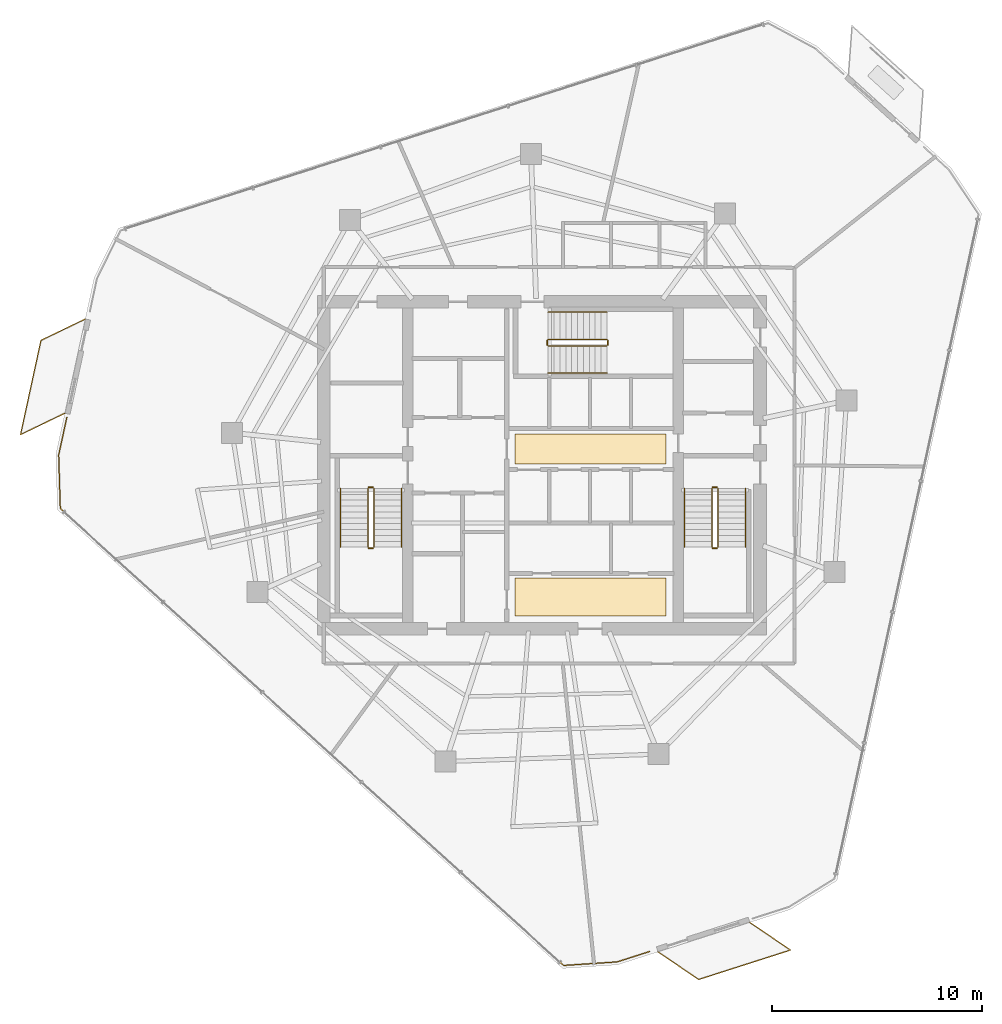
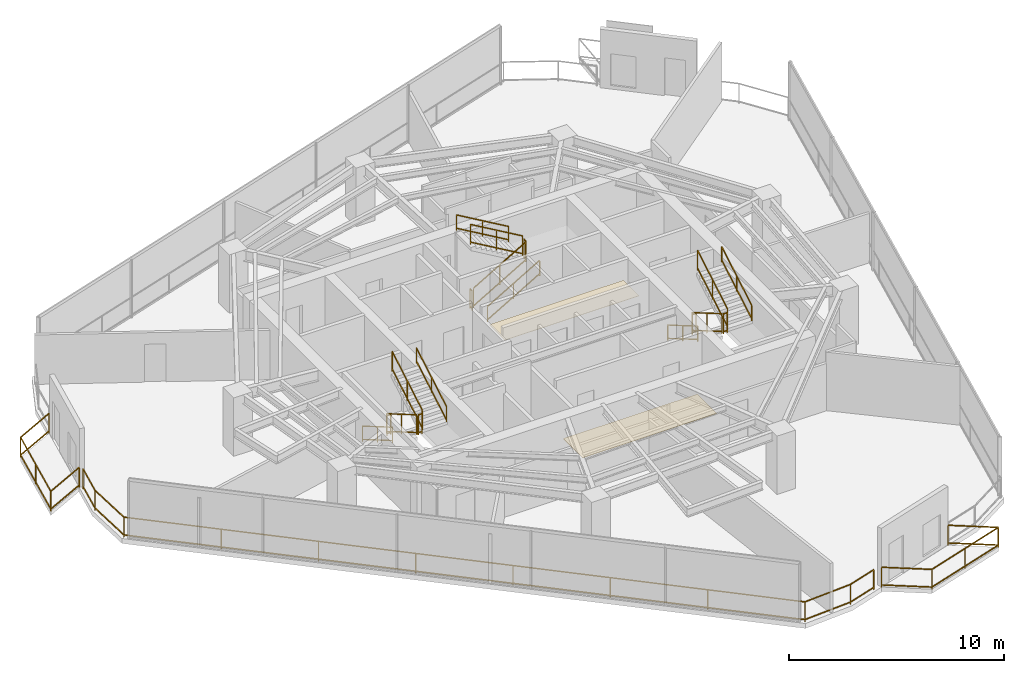
# One storey, part 20 of 21: 21 railings, 2 coverings.
"""IFC4 building model written with IfcOpenShell, lengths in metres."""

from ifc_helpers import new_model, si_unit, direction, frame, origin, origin_2d, place, context, subcontext, project, spatial, rectangle, extrude, material, layer, layer_set, type_object, element, save


model = new_model("IFC4")

# Units and contexts
model_context = context("Model", 3, precision=1e-05, world=origin(), true_north=direction((0.0, 1.0)))
body_context = subcontext(model_context, "Body", "Model", "MODEL_VIEW")
ifc_project = project(units=[si_unit("LENGTHUNIT", "METRE"), si_unit("AREAUNIT", "SQUARE_METRE"), si_unit("VOLUMEUNIT", "CUBIC_METRE"), si_unit("PLANEANGLEUNIT", "RADIAN"), si_unit("MASSUNIT", "GRAM", prefix="KILO")], contexts=[model_context])

# Site, building, storey
site_placement = place(None, origin())
site = spatial("IfcSite", under=ifc_project, at=site_placement, CompositionType="ELEMENT")
building_placement = place(site_placement, origin())
building = spatial("IfcBuilding", under=site, at=building_placement, Name="Qarnah Convention Tower", CompositionType="ELEMENT")
storey_placement = place(building_placement, frame((0.0, 0.0, 132.89990234375)))
storey = spatial("IfcBuildingStorey", under=building, at=storey_placement, Name="L35", CompositionType="ELEMENT", Elevation=132.89990234375)

# Coverings
ifc_material_1 = material(Name="Mineral fibre acoustic ceiling")
ifc_layer_1 = layer(ifc_material_1, 0.02001953125)
ifc_layer_set_1 = layer_set([ifc_layer_1], Name="Mineral fibre acoustic ceiling")
covering_type_1 = type_object("IfcCoveringType", Name="COV-CEIL-20", PredefinedType="CEILING", material=ifc_layer_set_1)
covering_1_placement = place(storey_placement, frame((39.52001953125, 27.179931640625, 2.2900390625), z_axis=(0.0, 0.0, 1.0), x_axis=(1.0, 0.0, 0.0)))
element("IfcCovering", 1, at=covering_1_placement, inside=storey, type_object=covering_type_1, Name="L35 lift lobby acoustic ceiling", PredefinedType="CEILING", context=body_context, shape_type="SweptSolid", body=[
    extrude(rectangle(XDim=7.199951171875, YDim=1.449951171875, at=origin_2d()), origin(), (0.0, 0.0, 1.0), 0.02001953125),
])
ifc_material_2 = material(Name="Porcelain stone floor tile", Category="masonry")
ifc_layer_2 = layer(ifc_material_2, 0.02001953125)
ifc_layer_set_2 = layer_set([ifc_layer_2], Name="Porcelain stone floor tile")
covering_type_2 = type_object("IfcCoveringType", Name="COV-FLOOR-20", PredefinedType="FLOORING", material=ifc_layer_set_2)
covering_2_placement = place(storey_placement, frame((39.52001953125, 20.1201171875, 0.0), z_axis=(0.0, 0.0, 1.0), x_axis=(1.0, 0.0, 0.0)))
element("IfcCovering", 2, at=covering_2_placement, inside=storey, type_object=covering_type_2, Name="L35 lift lobby porcelain stone flooring", PredefinedType="FLOORING", context=body_context, shape_type="SweptSolid", body=[
    extrude(rectangle(XDim=7.199951171875, YDim=1.800048828125, at=origin_2d()), origin(), (0.0, 0.0, 1.0), 0.02001953125),
])

# Railings
ifc_material_3 = material(Name="Black anodised aluminium", Category="aluminium")
railing_type_1 = type_object("IfcRailingType", Name="RL-EXT-GUARD-1150", PredefinedType="GUARDRAIL", material=ifc_material_3)
railing_1_placement = place(storey_placement, frame((42.323974609375, 3.217041015625, 0.0)))
element("IfcRailing", 3, at=railing_1_placement, inside=storey, type_object=railing_type_1, Name="L35 slab-edge perimeter safety guard 03", PredefinedType="GUARDRAIL", context=body_context, shape_type="SweptSolid", body=[
    extrude(rectangle(XDim=0.048095703125, YDim=0.048095703125, at=origin_2d()), frame((0.0, 0.0, 1.1259765625), z_axis=(-0.952460933686, -0.304660745423, 0.0), x_axis=(0.304660745423, -0.952460933686, 0.0)), (0.0, 0.0, 1.0), 1.617919921875),
    extrude(rectangle(XDim=0.048095703125, YDim=0.048095703125, at=origin_2d()), frame((0.0, 0.0, 0.1201171875), z_axis=(-0.952460933686, -0.304660745423, 0.0), x_axis=(0.304660745423, -0.952460933686, 0.0)), (0.0, 0.0, 1.0), 1.617919921875),
    extrude(rectangle(XDim=0.048095703125, YDim=0.048095703125, at=origin_2d()), frame((-1.541015625, -0.492919921875, 1.1259765625), z_axis=(-0.997817688867, -0.066029234309, 0.0), x_axis=(0.066029234309, -0.997817688867, 0.0)), (0.0, 0.0, 1.0), 2.547607421875),
    extrude(rectangle(XDim=0.048095703125, YDim=0.048095703125, at=origin_2d()), frame((-1.541015625, -0.492919921875, 0.1201171875), z_axis=(-0.997817688867, -0.066029234309, 0.0), x_axis=(0.066029234309, -0.997817688867, 0.0)), (0.0, 0.0, 1.0), 2.547607421875),
    extrude(rectangle(XDim=0.048095703125, YDim=0.048095703125, at=origin_2d()), frame((-4.0830078125, -0.6611328125, 1.1259765625), z_axis=(-0.740336929637, 0.672235993246, 0.0), x_axis=(-0.672235993246, -0.740336929637, 0.0)), (0.0, 0.0, 1.0), 32.4189453125),
    extrude(rectangle(XDim=0.048095703125, YDim=0.048095703125, at=origin_2d()), frame((-4.0830078125, -0.6611328125, 0.1201171875), z_axis=(-0.740336929637, 0.672235993246, 0.0), x_axis=(-0.672235993246, -0.740336929637, 0.0)), (0.0, 0.0, 1.0), 32.4189453125),
    extrude(rectangle(XDim=0.048095703125, YDim=0.048095703125, at=origin_2d()), frame((-28.083984375, 21.132080078125, 1.1259765625), z_axis=(-0.030576414063, 0.999532432142, 0.0), x_axis=(-0.999532432142, -0.030576414063, 0.0)), (0.0, 0.0, 1.0), 2.547119140625),
    extrude(rectangle(XDim=0.048095703125, YDim=0.048095703125, at=origin_2d()), frame((-28.083984375, 21.132080078125, 0.1201171875), z_axis=(-0.030576414063, 0.999532432142, 0.0), x_axis=(-0.999532432142, -0.030576414063, 0.0)), (0.0, 0.0, 1.0), 2.547119140625),
    extrude(rectangle(XDim=0.048095703125, YDim=0.048095703125, at=origin_2d()), frame((-28.161865234375, 23.677978515625, 1.1259765625), z_axis=(0.211914696689, 0.977288166984, 0.0), x_axis=(-0.977288166984, 0.211914696689, 0.0)), (0.0, 0.0, 1.0), 1.83056640625),
    extrude(rectangle(XDim=0.048095703125, YDim=0.048095703125, at=origin_2d()), frame((-28.161865234375, 23.677978515625, 0.1201171875), z_axis=(0.211914696689, 0.977288166984, 0.0), x_axis=(-0.977288166984, 0.211914696689, 0.0)), (0.0, 0.0, 1.0), 1.83056640625),
    extrude(rectangle(XDim=0.0419921875, YDim=0.0419921875, at=origin_2d()), origin(), (0.0, 0.0, 1.0), 1.101806640625),
    extrude(rectangle(XDim=0.0419921875, YDim=0.0419921875, at=origin_2d()), frame((-1.541015625, -0.492919921875, 0.0)), (0.0, 0.0, 1.0), 1.101806640625),
    extrude(rectangle(XDim=0.0419921875, YDim=0.0419921875, at=origin_2d()), frame((-4.0830078125, -0.6611328125, 0.0)), (0.0, 0.0, 1.0), 1.101806640625),
    extrude(rectangle(XDim=0.0419921875, YDim=0.0419921875, at=origin_2d()), frame((-7.51171875, 2.4521484375, 0.0)), (0.0, 0.0, 1.0), 1.101806640625),
    extrude(rectangle(XDim=0.0419921875, YDim=0.0419921875, at=origin_2d()), frame((-10.9404296875, 5.5654296875, 0.0)), (0.0, 0.0, 1.0), 1.101806640625),
    extrude(rectangle(XDim=0.0419921875, YDim=0.0419921875, at=origin_2d()), frame((-14.369140625, 8.6787109375, 0.0)), (0.0, 0.0, 1.0), 1.101806640625),
    extrude(rectangle(XDim=0.0419921875, YDim=0.0419921875, at=origin_2d()), frame((-17.7978515625, 11.792236328125, 0.0)), (0.0, 0.0, 1.0), 1.101806640625),
    extrude(rectangle(XDim=0.0419921875, YDim=0.0419921875, at=origin_2d()), frame((-21.2265625, 14.905517578125, 0.0)), (0.0, 0.0, 1.0), 1.101806640625),
    extrude(rectangle(XDim=0.0419921875, YDim=0.0419921875, at=origin_2d()), frame((-24.6552734375, 18.018798828125, 0.0)), (0.0, 0.0, 1.0), 1.101806640625),
    extrude(rectangle(XDim=0.0419921875, YDim=0.0419921875, at=origin_2d()), frame((-28.083984375, 21.132080078125, 0.0)), (0.0, 0.0, 1.0), 1.101806640625),
    extrude(rectangle(XDim=0.0419921875, YDim=0.0419921875, at=origin_2d()), frame((-28.161865234375, 23.677978515625, 0.0)), (0.0, 0.0, 1.0), 1.101806640625),
    extrude(rectangle(XDim=0.0419921875, YDim=0.0419921875, at=origin_2d()), frame((-27.77392578125, 25.467041015625, 0.0)), (0.0, 0.0, 1.0), 1.101806640625),
])
railing_2_placement = place(storey_placement, frame((14.455078125, 28.882080078125, 0.0)))
element("IfcRailing", 4, at=railing_2_placement, inside=storey, type_object=railing_type_1, Name="L35 balcony safety guard BAL-L35-C2", PredefinedType="GUARDRAIL", context=body_context, shape_type="SweptSolid", body=[
    extrude(rectangle(XDim=0.048095703125, YDim=0.048095703125, at=origin_2d()), frame((0.0, 0.0, 1.1259765625), z_axis=(-0.900641486859, -0.434562897805, 0.0), x_axis=(0.434562897805, -0.900641486859, 0.0)), (0.0, 0.0, 1.0), 2.34716796875),
    extrude(rectangle(XDim=0.048095703125, YDim=0.048095703125, at=origin_2d()), frame((0.0, 0.0, 0.1201171875), z_axis=(-0.900641486859, -0.434562897805, 0.0), x_axis=(0.434562897805, -0.900641486859, 0.0)), (0.0, 0.0, 1.0), 2.34716796875),
    extrude(rectangle(XDim=0.048095703125, YDim=0.048095703125, at=origin_2d()), frame((-2.114013671875, -1.02001953125, 1.1259765625), z_axis=(0.211953612133, 0.977279727767, 0.0), x_axis=(-0.977279727767, 0.211953612133, 0.0)), (0.0, 0.0, 1.0), 4.599365234375),
    extrude(rectangle(XDim=0.048095703125, YDim=0.048095703125, at=origin_2d()), frame((-2.114013671875, -1.02001953125, 0.1201171875), z_axis=(0.211953612133, 0.977279727767, 0.0), x_axis=(-0.977279727767, 0.211953612133, 0.0)), (0.0, 0.0, 1.0), 4.599365234375),
    extrude(rectangle(XDim=0.048095703125, YDim=0.048095703125, at=origin_2d()), frame((-1.13916015625, 3.474853515625, 1.1259765625), z_axis=(0.900641486859, 0.434562897805, 0.0), x_axis=(-0.434562897805, 0.900641486859, 0.0)), (0.0, 0.0, 1.0), 2.34716796875),
    extrude(rectangle(XDim=0.048095703125, YDim=0.048095703125, at=origin_2d()), frame((-1.13916015625, 3.474853515625, 0.1201171875), z_axis=(0.900641486859, 0.434562897805, 0.0), x_axis=(-0.434562897805, 0.900641486859, 0.0)), (0.0, 0.0, 1.0), 2.34716796875),
    extrude(rectangle(XDim=0.0419921875, YDim=0.0419921875, at=origin_2d()), origin(), (0.0, 0.0, 1.0), 1.101806640625),
    extrude(rectangle(XDim=0.0419921875, YDim=0.0419921875, at=origin_2d()), frame((-2.114013671875, -1.02001953125, 0.0)), (0.0, 0.0, 1.0), 1.101806640625),
    extrude(rectangle(XDim=0.0419921875, YDim=0.0419921875, at=origin_2d()), frame((-1.62646484375, 1.2275390625, 0.0)), (0.0, 0.0, 1.0), 1.101806640625),
    extrude(rectangle(XDim=0.0419921875, YDim=0.0419921875, at=origin_2d()), frame((-1.13916015625, 3.474853515625, 0.0)), (0.0, 0.0, 1.0), 1.101806640625),
    extrude(rectangle(XDim=0.0419921875, YDim=0.0419921875, at=origin_2d()), frame((0.974853515625, 4.494873046875, 0.0)), (0.0, 0.0, 1.0), 1.101806640625),
])
railing_3_placement = place(storey_placement, frame((47.113037109375, 4.60888671875, 0.0)))
element("IfcRailing", 5, at=railing_3_placement, inside=storey, type_object=railing_type_1, Name="L35 balcony safety guard BAL-L35-C3", PredefinedType="GUARDRAIL", context=body_context, shape_type="SweptSolid", body=[
    extrude(rectangle(XDim=0.048095703125, YDim=0.048095703125, at=origin_2d()), frame((0.0, 0.0, 1.1259765625), z_axis=(0.826733033368, -0.562594428996, 0.0), x_axis=(0.562594428996, 0.826733033368, 0.0)), (0.0, 0.0, 1.0), 2.34765625),
    extrude(rectangle(XDim=0.048095703125, YDim=0.048095703125, at=origin_2d()), frame((0.0, 0.0, 0.1201171875), z_axis=(0.826733033368, -0.562594428996, 0.0), x_axis=(0.562594428996, 0.826733033368, 0.0)), (0.0, 0.0, 1.0), 2.34765625),
    extrude(rectangle(XDim=0.048095703125, YDim=0.048095703125, at=origin_2d()), frame((1.94091796875, -1.32080078125, 1.1259765625), z_axis=(-0.952348320672, -0.305012583532, 0.0), x_axis=(0.305012583532, -0.952348320672, 0.0)), (0.0, 0.0, 1.0), 4.60009765625),
    extrude(rectangle(XDim=0.048095703125, YDim=0.048095703125, at=origin_2d()), frame((1.94091796875, -1.32080078125, 0.1201171875), z_axis=(-0.952348320672, -0.305012583532, 0.0), x_axis=(0.305012583532, -0.952348320672, 0.0)), (0.0, 0.0, 1.0), 4.60009765625),
    extrude(rectangle(XDim=0.048095703125, YDim=0.048095703125, at=origin_2d()), frame((-2.43994140625, -2.723876953125, 1.1259765625), z_axis=(-0.826717581838, 0.562617134364, 0.0), x_axis=(-0.562617134364, -0.826717581838, 0.0)), (0.0, 0.0, 1.0), 2.34814453125),
    extrude(rectangle(XDim=0.048095703125, YDim=0.048095703125, at=origin_2d()), frame((-2.43994140625, -2.723876953125, 0.1201171875), z_axis=(-0.826717581838, 0.562617134364, 0.0), x_axis=(-0.562617134364, -0.826717581838, 0.0)), (0.0, 0.0, 1.0), 2.34814453125),
    extrude(rectangle(XDim=0.0419921875, YDim=0.0419921875, at=origin_2d()), origin(), (0.0, 0.0, 1.0), 1.101806640625),
    extrude(rectangle(XDim=0.0419921875, YDim=0.0419921875, at=origin_2d()), frame((1.94091796875, -1.32080078125, 0.0)), (0.0, 0.0, 1.0), 1.101806640625),
    extrude(rectangle(XDim=0.0419921875, YDim=0.0419921875, at=origin_2d()), frame((-0.24951171875, -2.0224609375, 0.0)), (0.0, 0.0, 1.0), 1.101806640625),
    extrude(rectangle(XDim=0.0419921875, YDim=0.0419921875, at=origin_2d()), frame((-2.43994140625, -2.723876953125, 0.0)), (0.0, 0.0, 1.0), 1.101806640625),
    extrude(rectangle(XDim=0.0419921875, YDim=0.0419921875, at=origin_2d()), frame((-4.381103515625, -1.40283203125, 0.0)), (0.0, 0.0, 1.0), 1.101806640625),
])
ifc_material_4 = material(Name="Structural steel S355JR", Category="steel")
railing_type_2 = type_object("IfcRailingType", Name="RL-STAIR-GUARD-1150", PredefinedType="GUARDRAIL", material=ifc_material_4)
railing_4_placement = place(storey_placement, frame((28.89990234375, 25.300048828125, 0.163818359375)))
element("IfcRailing", 6, at=railing_4_placement, inside=storey, type_object=railing_type_2, Name="L35 ST-1 stair guard 1", PredefinedType="GUARDRAIL", context=body_context, shape_type="SweptSolid", body=[
    extrude(rectangle(XDim=0.048095703125, YDim=0.048095703125, at=origin_2d()), frame((0.0, 0.0, 1.1259765625), z_axis=(0.0, -0.863393664356, 0.504530851732), x_axis=(1.0, 0.0, 0.0)), (0.0, 0.0, 1.0), 3.2431640625),
    extrude(rectangle(XDim=0.048095703125, YDim=0.048095703125, at=origin_2d()), frame((0.0, 0.0, 0.1201171875), z_axis=(0.0, -0.863393664356, 0.504530851732), x_axis=(1.0, 0.0, 0.0)), (0.0, 0.0, 1.0), 3.2431640625),
    extrude(rectangle(XDim=0.0419921875, YDim=0.0419921875, at=origin_2d()), origin(), (0.0, 0.0, 1.0), 1.101806640625),
    extrude(rectangle(XDim=0.0419921875, YDim=0.0419921875, at=origin_2d()), frame((0.0, -1.39990234375, 0.818115234375)), (0.0, 0.0, 1.0), 1.101806640625),
    extrude(rectangle(XDim=0.0419921875, YDim=0.0419921875, at=origin_2d()), frame((0.0, -2.800048828125, 1.63623046875)), (0.0, 0.0, 1.0), 1.101806640625),
])
railing_5_placement = place(storey_placement, frame((28.949951171875, 22.449951171875, 1.800048828125)))
element("IfcRailing", 7, at=railing_5_placement, inside=storey, type_object=railing_type_2, Name="L35 ST-1 stair guard 2", PredefinedType="GUARDRAIL", context=body_context, shape_type="SweptSolid", body=[
    extrude(rectangle(XDim=0.048095703125, YDim=0.048095703125, at=origin_2d()), frame((0.0, 0.0, 1.1259765625), z_axis=(1.0, 0.0, 0.0), x_axis=(0.0, 1.0, 0.0)), (0.0, 0.0, 1.0), 0.199951171875),
    extrude(rectangle(XDim=0.048095703125, YDim=0.048095703125, at=origin_2d()), frame((0.0, 0.0, 0.1201171875), z_axis=(1.0, 0.0, 0.0), x_axis=(0.0, 1.0, 0.0)), (0.0, 0.0, 1.0), 0.199951171875),
    extrude(rectangle(XDim=0.0419921875, YDim=0.0419921875, at=origin_2d()), origin(), (0.0, 0.0, 1.0), 1.101806640625),
    extrude(rectangle(XDim=0.0419921875, YDim=0.0419921875, at=origin_2d()), frame((0.199951171875, 0.0, 0.0)), (0.0, 0.0, 1.0), 1.101806640625),
])
railing_6_placement = place(storey_placement, frame((29.199951171875, 22.5, 1.963623046875)))
element("IfcRailing", 8, at=railing_6_placement, inside=storey, type_object=railing_type_2, Name="L35 ST-1 stair guard 3", PredefinedType="GUARDRAIL", context=body_context, shape_type="SweptSolid", body=[
    extrude(rectangle(XDim=0.048095703125, YDim=0.048095703125, at=origin_2d()), frame((0.0, 0.0, 1.1259765625), z_axis=(0.0, 0.863360870873, 0.504586966384), x_axis=(-1.0, 0.0, 0.0)), (0.0, 0.0, 1.0), 3.2431640625),
    extrude(rectangle(XDim=0.048095703125, YDim=0.048095703125, at=origin_2d()), frame((0.0, 0.0, 0.1201171875), z_axis=(0.0, 0.863360870873, 0.504586966384), x_axis=(-1.0, 0.0, 0.0)), (0.0, 0.0, 1.0), 3.2431640625),
    extrude(rectangle(XDim=0.0419921875, YDim=0.0419921875, at=origin_2d()), origin(), (0.0, 0.0, 1.0), 1.101806640625),
    extrude(rectangle(XDim=0.0419921875, YDim=0.0419921875, at=origin_2d()), frame((0.0, 1.39990234375, 0.818359375)), (0.0, 0.0, 1.0), 1.101806640625),
    extrude(rectangle(XDim=0.0419921875, YDim=0.0419921875, at=origin_2d()), frame((0.0, 2.800048828125, 1.636474609375)), (0.0, 0.0, 1.0), 1.101806640625),
])
railing_7_placement = place(storey_placement, frame((28.949951171875, 25.35009765625, 0.0)))
element("IfcRailing", 9, at=railing_7_placement, inside=storey, type_object=railing_type_2, Name="L35 ST-1 stair guard 4", PredefinedType="GUARDRAIL", context=body_context, shape_type="SweptSolid", body=[
    extrude(rectangle(XDim=0.048095703125, YDim=0.048095703125, at=origin_2d()), frame((0.0, 0.0, 1.1259765625), z_axis=(1.0, 0.0, 0.0), x_axis=(0.0, 1.0, 0.0)), (0.0, 0.0, 1.0), 0.199951171875),
    extrude(rectangle(XDim=0.048095703125, YDim=0.048095703125, at=origin_2d()), frame((0.0, 0.0, 0.1201171875), z_axis=(1.0, 0.0, 0.0), x_axis=(0.0, 1.0, 0.0)), (0.0, 0.0, 1.0), 0.199951171875),
    extrude(rectangle(XDim=0.0419921875, YDim=0.0419921875, at=origin_2d()), origin(), (0.0, 0.0, 1.0), 1.101806640625),
    extrude(rectangle(XDim=0.0419921875, YDim=0.0419921875, at=origin_2d()), frame((0.199951171875, 0.0, 0.0)), (0.0, 0.0, 1.0), 1.101806640625),
])
railing_8_placement = place(storey_placement, frame((45.300048828125, 25.300048828125, 0.163818359375)))
element("IfcRailing", 10, at=railing_8_placement, inside=storey, type_object=railing_type_2, Name="L35 ST-2 stair guard 1", PredefinedType="GUARDRAIL", context=body_context, shape_type="SweptSolid", body=[
    extrude(rectangle(XDim=0.048095703125, YDim=0.048095703125, at=origin_2d()), frame((0.0, 0.0, 1.1259765625), z_axis=(0.0, -0.863393664356, 0.504530851732), x_axis=(1.0, 0.0, 0.0)), (0.0, 0.0, 1.0), 3.2431640625),
    extrude(rectangle(XDim=0.048095703125, YDim=0.048095703125, at=origin_2d()), frame((0.0, 0.0, 0.1201171875), z_axis=(0.0, -0.863393664356, 0.504530851732), x_axis=(1.0, 0.0, 0.0)), (0.0, 0.0, 1.0), 3.2431640625),
    extrude(rectangle(XDim=0.0419921875, YDim=0.0419921875, at=origin_2d()), origin(), (0.0, 0.0, 1.0), 1.101806640625),
    extrude(rectangle(XDim=0.0419921875, YDim=0.0419921875, at=origin_2d()), frame((0.0, -1.39990234375, 0.818115234375)), (0.0, 0.0, 1.0), 1.101806640625),
    extrude(rectangle(XDim=0.0419921875, YDim=0.0419921875, at=origin_2d()), frame((0.0, -2.800048828125, 1.63623046875)), (0.0, 0.0, 1.0), 1.101806640625),
])
railing_9_placement = place(storey_placement, frame((45.35009765625, 22.449951171875, 1.800048828125)))
element("IfcRailing", 11, at=railing_9_placement, inside=storey, type_object=railing_type_2, Name="L35 ST-2 stair guard 2", PredefinedType="GUARDRAIL", context=body_context, shape_type="SweptSolid", body=[
    extrude(rectangle(XDim=0.048095703125, YDim=0.048095703125, at=origin_2d()), frame((0.0, 0.0, 1.1259765625), z_axis=(1.0, 0.0, 0.0), x_axis=(0.0, 1.0, 0.0)), (0.0, 0.0, 1.0), 0.199951171875),
    extrude(rectangle(XDim=0.048095703125, YDim=0.048095703125, at=origin_2d()), frame((0.0, 0.0, 0.1201171875), z_axis=(1.0, 0.0, 0.0), x_axis=(0.0, 1.0, 0.0)), (0.0, 0.0, 1.0), 0.199951171875),
    extrude(rectangle(XDim=0.0419921875, YDim=0.0419921875, at=origin_2d()), origin(), (0.0, 0.0, 1.0), 1.101806640625),
    extrude(rectangle(XDim=0.0419921875, YDim=0.0419921875, at=origin_2d()), frame((0.199951171875, 0.0, 0.0)), (0.0, 0.0, 1.0), 1.101806640625),
])
railing_10_placement = place(storey_placement, frame((45.60009765625, 22.5, 1.963623046875)))
element("IfcRailing", 12, at=railing_10_placement, inside=storey, type_object=railing_type_2, Name="L35 ST-2 stair guard 3", PredefinedType="GUARDRAIL", context=body_context, shape_type="SweptSolid", body=[
    extrude(rectangle(XDim=0.048095703125, YDim=0.048095703125, at=origin_2d()), frame((0.0, 0.0, 1.1259765625), z_axis=(0.0, 0.863360870873, 0.504586966384), x_axis=(-1.0, 0.0, 0.0)), (0.0, 0.0, 1.0), 3.2431640625),
    extrude(rectangle(XDim=0.048095703125, YDim=0.048095703125, at=origin_2d()), frame((0.0, 0.0, 0.1201171875), z_axis=(0.0, 0.863360870873, 0.504586966384), x_axis=(-1.0, 0.0, 0.0)), (0.0, 0.0, 1.0), 3.2431640625),
    extrude(rectangle(XDim=0.0419921875, YDim=0.0419921875, at=origin_2d()), origin(), (0.0, 0.0, 1.0), 1.101806640625),
    extrude(rectangle(XDim=0.0419921875, YDim=0.0419921875, at=origin_2d()), frame((0.0, 1.39990234375, 0.818359375)), (0.0, 0.0, 1.0), 1.101806640625),
    extrude(rectangle(XDim=0.0419921875, YDim=0.0419921875, at=origin_2d()), frame((0.0, 2.800048828125, 1.636474609375)), (0.0, 0.0, 1.0), 1.101806640625),
])
railing_11_placement = place(storey_placement, frame((45.35009765625, 25.35009765625, 0.0)))
element("IfcRailing", 13, at=railing_11_placement, inside=storey, type_object=railing_type_2, Name="L35 ST-2 stair guard 4", PredefinedType="GUARDRAIL", context=body_context, shape_type="SweptSolid", body=[
    extrude(rectangle(XDim=0.048095703125, YDim=0.048095703125, at=origin_2d()), frame((0.0, 0.0, 1.1259765625), z_axis=(1.0, 0.0, 0.0), x_axis=(0.0, 1.0, 0.0)), (0.0, 0.0, 1.0), 0.199951171875),
    extrude(rectangle(XDim=0.048095703125, YDim=0.048095703125, at=origin_2d()), frame((0.0, 0.0, 0.1201171875), z_axis=(1.0, 0.0, 0.0), x_axis=(0.0, 1.0, 0.0)), (0.0, 0.0, 1.0), 0.199951171875),
    extrude(rectangle(XDim=0.0419921875, YDim=0.0419921875, at=origin_2d()), origin(), (0.0, 0.0, 1.0), 1.101806640625),
    extrude(rectangle(XDim=0.0419921875, YDim=0.0419921875, at=origin_2d()), frame((0.199951171875, 0.0, 0.0)), (0.0, 0.0, 1.0), 1.101806640625),
])
railing_12_placement = place(storey_placement, frame((37.5, 32.10009765625, 0.163818359375)))
element("IfcRailing", 14, at=railing_12_placement, inside=storey, type_object=railing_type_2, Name="L35 ST-3 stair guard 1", PredefinedType="GUARDRAIL", context=body_context, shape_type="SweptSolid", body=[
    extrude(rectangle(XDim=0.048095703125, YDim=0.048095703125, at=origin_2d()), frame((0.0, 0.0, 1.1259765625), z_axis=(0.863393664356, 0.0, 0.504530851732), x_axis=(0.0, 1.0, 0.0)), (0.0, 0.0, 1.0), 3.2431640625),
    extrude(rectangle(XDim=0.048095703125, YDim=0.048095703125, at=origin_2d()), frame((0.0, 0.0, 0.1201171875), z_axis=(0.863393664356, 0.0, 0.504530851732), x_axis=(0.0, 1.0, 0.0)), (0.0, 0.0, 1.0), 3.2431640625),
    extrude(rectangle(XDim=0.0419921875, YDim=0.0419921875, at=origin_2d()), origin(), (0.0, 0.0, 1.0), 1.101806640625),
    extrude(rectangle(XDim=0.0419921875, YDim=0.0419921875, at=origin_2d()), frame((1.39990234375, 0.0, 0.818115234375)), (0.0, 0.0, 1.0), 1.101806640625),
    extrude(rectangle(XDim=0.0419921875, YDim=0.0419921875, at=origin_2d()), frame((2.800048828125, 0.0, 1.63623046875)), (0.0, 0.0, 1.0), 1.101806640625),
])
railing_13_placement = place(storey_placement, frame((40.35009765625, 32.14990234375, 1.800048828125)))
element("IfcRailing", 15, at=railing_13_placement, inside=storey, type_object=railing_type_2, Name="L35 ST-3 stair guard 2", PredefinedType="GUARDRAIL", context=body_context, shape_type="SweptSolid", body=[
    extrude(rectangle(XDim=0.048095703125, YDim=0.048095703125, at=origin_2d()), frame((0.0, 0.0, 1.1259765625), z_axis=(0.0, 1.0, 0.0), x_axis=(-1.0, 0.0, 0.0)), (0.0, 0.0, 1.0), 0.2001953125),
    extrude(rectangle(XDim=0.048095703125, YDim=0.048095703125, at=origin_2d()), frame((0.0, 0.0, 0.1201171875), z_axis=(0.0, 1.0, 0.0), x_axis=(-1.0, 0.0, 0.0)), (0.0, 0.0, 1.0), 0.2001953125),
    extrude(rectangle(XDim=0.0419921875, YDim=0.0419921875, at=origin_2d()), origin(), (0.0, 0.0, 1.0), 1.101806640625),
    extrude(rectangle(XDim=0.0419921875, YDim=0.0419921875, at=origin_2d()), frame((0.0, 0.2001953125, 0.0)), (0.0, 0.0, 1.0), 1.101806640625),
])
railing_14_placement = place(storey_placement, frame((40.300048828125, 32.39990234375, 1.963623046875)))
element("IfcRailing", 16, at=railing_14_placement, inside=storey, type_object=railing_type_2, Name="L35 ST-3 stair guard 3", PredefinedType="GUARDRAIL", context=body_context, shape_type="SweptSolid", body=[
    extrude(rectangle(XDim=0.048095703125, YDim=0.048095703125, at=origin_2d()), frame((0.0, 0.0, 1.1259765625), z_axis=(-0.863360870873, 0.0, 0.504586966384), x_axis=(0.0, -1.0, 0.0)), (0.0, 0.0, 1.0), 3.2431640625),
    extrude(rectangle(XDim=0.048095703125, YDim=0.048095703125, at=origin_2d()), frame((0.0, 0.0, 0.1201171875), z_axis=(-0.863360870873, 0.0, 0.504586966384), x_axis=(0.0, -1.0, 0.0)), (0.0, 0.0, 1.0), 3.2431640625),
    extrude(rectangle(XDim=0.0419921875, YDim=0.0419921875, at=origin_2d()), origin(), (0.0, 0.0, 1.0), 1.101806640625),
    extrude(rectangle(XDim=0.0419921875, YDim=0.0419921875, at=origin_2d()), frame((-1.39990234375, 0.0, 0.818359375)), (0.0, 0.0, 1.0), 1.101806640625),
    extrude(rectangle(XDim=0.0419921875, YDim=0.0419921875, at=origin_2d()), frame((-2.800048828125, 0.0, 1.636474609375)), (0.0, 0.0, 1.0), 1.101806640625),
])
railing_15_placement = place(storey_placement, frame((37.449951171875, 32.14990234375, 0.0)))
element("IfcRailing", 17, at=railing_15_placement, inside=storey, type_object=railing_type_2, Name="L35 ST-3 stair guard 4", PredefinedType="GUARDRAIL", context=body_context, shape_type="SweptSolid", body=[
    extrude(rectangle(XDim=0.048095703125, YDim=0.048095703125, at=origin_2d()), frame((0.0, 0.0, 1.1259765625), z_axis=(0.0, 1.0, 0.0), x_axis=(-1.0, 0.0, 0.0)), (0.0, 0.0, 1.0), 0.2001953125),
    extrude(rectangle(XDim=0.048095703125, YDim=0.048095703125, at=origin_2d()), frame((0.0, 0.0, 0.1201171875), z_axis=(0.0, 1.0, 0.0), x_axis=(-1.0, 0.0, 0.0)), (0.0, 0.0, 1.0), 0.2001953125),
    extrude(rectangle(XDim=0.0419921875, YDim=0.0419921875, at=origin_2d()), origin(), (0.0, 0.0, 1.0), 1.101806640625),
    extrude(rectangle(XDim=0.0419921875, YDim=0.0419921875, at=origin_2d()), frame((0.0, 0.2001953125, 0.0)), (0.0, 0.0, 1.0), 1.101806640625),
])
railing_type_3 = type_object("IfcRailingType", Name="RL-STAIR-HAND-900", PredefinedType="HANDRAIL", material=ifc_material_4)
railing_16_placement = place(storey_placement, frame((27.60009765625, 25.300048828125, 0.163818359375)))
element("IfcRailing", 18, at=railing_16_placement, inside=storey, type_object=railing_type_3, Name="L35 ST-1 stair handrail 1", PredefinedType="HANDRAIL", context=body_context, shape_type="SweptSolid", body=[
    extrude(rectangle(XDim=0.048095703125, YDim=0.048095703125, at=origin_2d()), frame((0.0, 0.0, 0.8759765625), z_axis=(0.0, -0.863393664356, 0.504530851732), x_axis=(1.0, 0.0, 0.0)), (0.0, 0.0, 1.0), 3.2431640625),
    extrude(rectangle(XDim=0.048095703125, YDim=0.048095703125, at=origin_2d()), frame((0.0, 0.0, 0.1201171875), z_axis=(0.0, -0.863393664356, 0.504530851732), x_axis=(1.0, 0.0, 0.0)), (0.0, 0.0, 1.0), 3.2431640625),
    extrude(rectangle(XDim=0.0419921875, YDim=0.0419921875, at=origin_2d()), origin(), (0.0, 0.0, 1.0), 0.851806640625),
    extrude(rectangle(XDim=0.0419921875, YDim=0.0419921875, at=origin_2d()), frame((0.0, -1.39990234375, 0.818115234375)), (0.0, 0.0, 1.0), 0.851806640625),
    extrude(rectangle(XDim=0.0419921875, YDim=0.0419921875, at=origin_2d()), frame((0.0, -2.800048828125, 1.63623046875)), (0.0, 0.0, 1.0), 0.851806640625),
])
railing_17_placement = place(storey_placement, frame((30.5, 22.5, 1.963623046875)))
element("IfcRailing", 19, at=railing_17_placement, inside=storey, type_object=railing_type_3, Name="L35 ST-1 stair handrail 2", PredefinedType="HANDRAIL", context=body_context, shape_type="SweptSolid", body=[
    extrude(rectangle(XDim=0.048095703125, YDim=0.048095703125, at=origin_2d()), frame((0.0, 0.0, 0.8759765625), z_axis=(0.0, 0.863360870873, 0.504586966384), x_axis=(-1.0, 0.0, 0.0)), (0.0, 0.0, 1.0), 3.2431640625),
    extrude(rectangle(XDim=0.048095703125, YDim=0.048095703125, at=origin_2d()), frame((0.0, 0.0, 0.1201171875), z_axis=(0.0, 0.863360870873, 0.504586966384), x_axis=(-1.0, 0.0, 0.0)), (0.0, 0.0, 1.0), 3.2431640625),
    extrude(rectangle(XDim=0.0419921875, YDim=0.0419921875, at=origin_2d()), origin(), (0.0, 0.0, 1.0), 0.851806640625),
    extrude(rectangle(XDim=0.0419921875, YDim=0.0419921875, at=origin_2d()), frame((0.0, 1.39990234375, 0.818359375)), (0.0, 0.0, 1.0), 0.851806640625),
    extrude(rectangle(XDim=0.0419921875, YDim=0.0419921875, at=origin_2d()), frame((0.0, 2.800048828125, 1.636474609375)), (0.0, 0.0, 1.0), 0.851806640625),
])
railing_18_placement = place(storey_placement, frame((44.0, 25.300048828125, 0.163818359375)))
element("IfcRailing", 20, at=railing_18_placement, inside=storey, type_object=railing_type_3, Name="L35 ST-2 stair handrail 1", PredefinedType="HANDRAIL", context=body_context, shape_type="SweptSolid", body=[
    extrude(rectangle(XDim=0.048095703125, YDim=0.048095703125, at=origin_2d()), frame((0.0, 0.0, 0.8759765625), z_axis=(0.0, -0.863393664356, 0.504530851732), x_axis=(1.0, 0.0, 0.0)), (0.0, 0.0, 1.0), 3.2431640625),
    extrude(rectangle(XDim=0.048095703125, YDim=0.048095703125, at=origin_2d()), frame((0.0, 0.0, 0.1201171875), z_axis=(0.0, -0.863393664356, 0.504530851732), x_axis=(1.0, 0.0, 0.0)), (0.0, 0.0, 1.0), 3.2431640625),
    extrude(rectangle(XDim=0.0419921875, YDim=0.0419921875, at=origin_2d()), origin(), (0.0, 0.0, 1.0), 0.851806640625),
    extrude(rectangle(XDim=0.0419921875, YDim=0.0419921875, at=origin_2d()), frame((0.0, -1.39990234375, 0.818115234375)), (0.0, 0.0, 1.0), 0.851806640625),
    extrude(rectangle(XDim=0.0419921875, YDim=0.0419921875, at=origin_2d()), frame((0.0, -2.800048828125, 1.63623046875)), (0.0, 0.0, 1.0), 0.851806640625),
])
railing_19_placement = place(storey_placement, frame((46.89990234375, 22.5, 1.963623046875)))
element("IfcRailing", 21, at=railing_19_placement, inside=storey, type_object=railing_type_3, Name="L35 ST-2 stair handrail 2", PredefinedType="HANDRAIL", context=body_context, shape_type="SweptSolid", body=[
    extrude(rectangle(XDim=0.048095703125, YDim=0.048095703125, at=origin_2d()), frame((0.0, 0.0, 0.8759765625), z_axis=(0.0, 0.863360870873, 0.504586966384), x_axis=(-1.0, 0.0, 0.0)), (0.0, 0.0, 1.0), 3.2431640625),
    extrude(rectangle(XDim=0.048095703125, YDim=0.048095703125, at=origin_2d()), frame((0.0, 0.0, 0.1201171875), z_axis=(0.0, 0.863360870873, 0.504586966384), x_axis=(-1.0, 0.0, 0.0)), (0.0, 0.0, 1.0), 3.2431640625),
    extrude(rectangle(XDim=0.0419921875, YDim=0.0419921875, at=origin_2d()), origin(), (0.0, 0.0, 1.0), 0.851806640625),
    extrude(rectangle(XDim=0.0419921875, YDim=0.0419921875, at=origin_2d()), frame((0.0, 1.39990234375, 0.818359375)), (0.0, 0.0, 1.0), 0.851806640625),
    extrude(rectangle(XDim=0.0419921875, YDim=0.0419921875, at=origin_2d()), frame((0.0, 2.800048828125, 1.636474609375)), (0.0, 0.0, 1.0), 0.851806640625),
])
railing_20_placement = place(storey_placement, frame((37.5, 30.800048828125, 0.163818359375)))
element("IfcRailing", 22, at=railing_20_placement, inside=storey, type_object=railing_type_3, Name="L35 ST-3 stair handrail 1", PredefinedType="HANDRAIL", context=body_context, shape_type="SweptSolid", body=[
    extrude(rectangle(XDim=0.048095703125, YDim=0.048095703125, at=origin_2d()), frame((0.0, 0.0, 0.8759765625), z_axis=(0.863393664356, 0.0, 0.504530851732), x_axis=(0.0, 1.0, 0.0)), (0.0, 0.0, 1.0), 3.2431640625),
    extrude(rectangle(XDim=0.048095703125, YDim=0.048095703125, at=origin_2d()), frame((0.0, 0.0, 0.1201171875), z_axis=(0.863393664356, 0.0, 0.504530851732), x_axis=(0.0, 1.0, 0.0)), (0.0, 0.0, 1.0), 3.2431640625),
    extrude(rectangle(XDim=0.0419921875, YDim=0.0419921875, at=origin_2d()), origin(), (0.0, 0.0, 1.0), 0.851806640625),
    extrude(rectangle(XDim=0.0419921875, YDim=0.0419921875, at=origin_2d()), frame((1.39990234375, 0.0, 0.818115234375)), (0.0, 0.0, 1.0), 0.851806640625),
    extrude(rectangle(XDim=0.0419921875, YDim=0.0419921875, at=origin_2d()), frame((2.800048828125, 0.0, 1.63623046875)), (0.0, 0.0, 1.0), 0.851806640625),
])
railing_21_placement = place(storey_placement, frame((40.300048828125, 33.699951171875, 1.963623046875)))
element("IfcRailing", 23, at=railing_21_placement, inside=storey, type_object=railing_type_3, Name="L35 ST-3 stair handrail 2", PredefinedType="HANDRAIL", context=body_context, shape_type="SweptSolid", body=[
    extrude(rectangle(XDim=0.048095703125, YDim=0.048095703125, at=origin_2d()), frame((0.0, 0.0, 0.8759765625), z_axis=(-0.863360870873, 0.0, 0.504586966384), x_axis=(0.0, -1.0, 0.0)), (0.0, 0.0, 1.0), 3.2431640625),
    extrude(rectangle(XDim=0.048095703125, YDim=0.048095703125, at=origin_2d()), frame((0.0, 0.0, 0.1201171875), z_axis=(-0.863360870873, 0.0, 0.504586966384), x_axis=(0.0, -1.0, 0.0)), (0.0, 0.0, 1.0), 3.2431640625),
    extrude(rectangle(XDim=0.0419921875, YDim=0.0419921875, at=origin_2d()), origin(), (0.0, 0.0, 1.0), 0.851806640625),
    extrude(rectangle(XDim=0.0419921875, YDim=0.0419921875, at=origin_2d()), frame((-1.39990234375, 0.0, 0.818359375)), (0.0, 0.0, 1.0), 0.851806640625),
    extrude(rectangle(XDim=0.0419921875, YDim=0.0419921875, at=origin_2d()), frame((-2.800048828125, 0.0, 1.636474609375)), (0.0, 0.0, 1.0), 0.851806640625),
])

save(model, "model.ifc")
